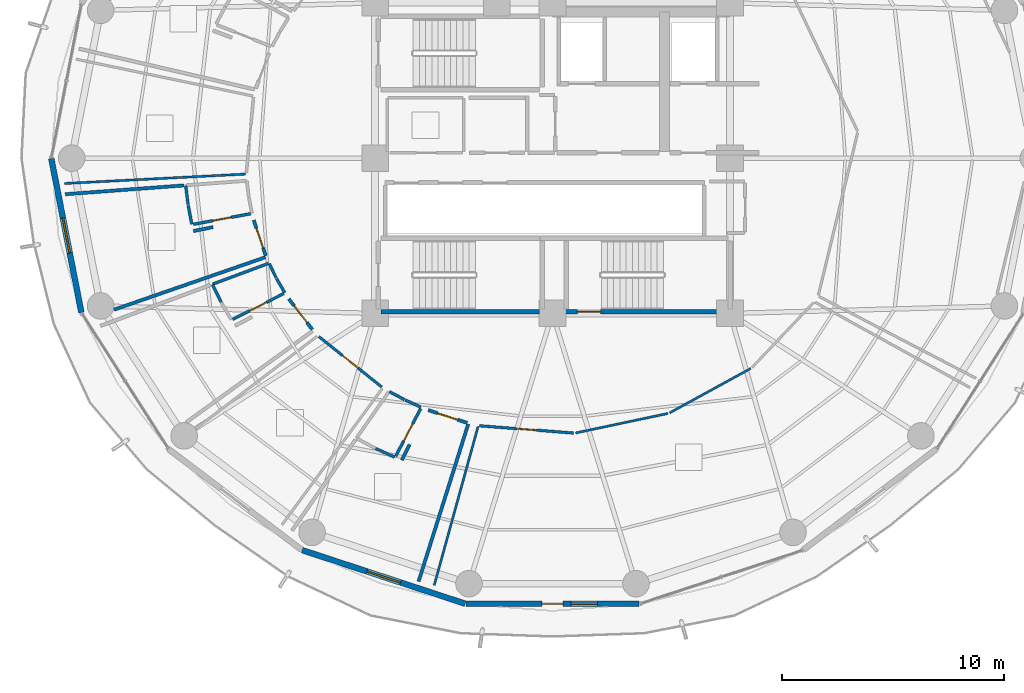
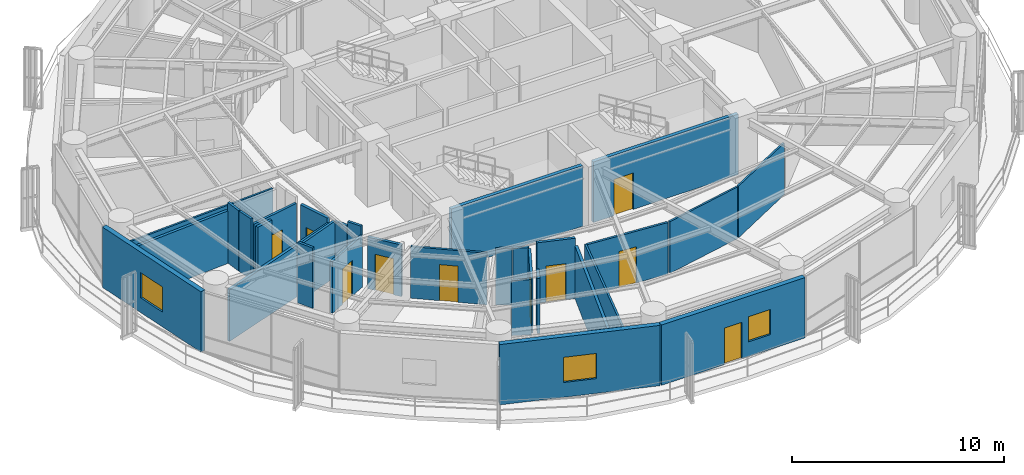
# One storey, part 21 of 29: 31 walls, 10 doors, 3 windows, 13 openings.
"""IFC4 building model written with IfcOpenShell, lengths in metres."""

import ifcopenshell
import ifcopenshell.guid

model = None  # the IFC model being written
_history = None  # IfcOwnerHistory: only IFC2X3 demands one
_inside = {}  # id of a spatial element -> (the spatial element, [elements in it])
_under = {}  # id of a project, library or spatial element -> (it, [spatial elements below it])
_declared = {}  # id of a project -> (the project, [libraries it declares])
_typed = {}  # id of a type object -> (the type object, [elements of that type])
_made_of = {}  # id of a material, layer set ... -> (it, [elements and type objects made of it])


def new_model(schema):
    """Start an empty IFC model of exactly this schema.

    Asked for "IFC4X3", IfcOpenShell would pick the latest addendum, in which some entities
    have other attributes; the version numbers below select the first issue.
    IFC2X3 requires an IfcOwnerHistory on every rooted entity: one is made here for all.
    """
    global model, _history
    if schema == "IFC4X3":
        model = ifcopenshell.file(schema_version=(4, 3, 0, 0))
    else:
        model = ifcopenshell.file(schema=schema)
    _inside.clear()
    _under.clear()
    _declared.clear()
    _typed.clear()
    _made_of.clear()
    _history = None
    if model.schema == "IFC2X3":
        org = make("IfcOrganization", Name="unknown")
        user = make(
            "IfcPersonAndOrganization",
            ThePerson=make("IfcPerson", FamilyName="unknown"),
            TheOrganization=org,
        )
        app = make(
            "IfcApplication",
            ApplicationDeveloper=org,
            Version="unknown",
            ApplicationFullName="unknown",
            ApplicationIdentifier="unknown",
        )
        _history = make(
            "IfcOwnerHistory",
            OwningUser=user,
            OwningApplication=app,
            ChangeAction="ADDED",
            CreationDate=0,
        )
    return model


def make(cls, **values):
    """One entity of the class cls with the attributes given. An attribute that is None is left unset."""
    return model.create_entity(
        cls, **{name: value for name, value in values.items() if value is not None}
    )


def rooted(cls, **values):
    """An entity with a GlobalId (a new one), such as an element, a storey or a relation."""
    return make(cls, GlobalId=ifcopenshell.guid.new(), OwnerHistory=_history, **values)


def si_unit(unit_type, name, prefix=None):
    """IfcSIUnit, for example si_unit("LENGTHUNIT", "METRE", prefix="MILLI")."""
    return make("IfcSIUnit", UnitType=unit_type, Prefix=prefix, Name=name)


def assignment(units):
    """IfcUnitAssignment: the units of a project."""
    return None if units is None else make("IfcUnitAssignment", Units=units)


def point(xyz):
    """IfcCartesianPoint."""
    return None if xyz is None else make("IfcCartesianPoint", Coordinates=xyz)


def direction(xyz):
    """IfcDirection."""
    return None if xyz is None else make("IfcDirection", DirectionRatios=xyz)


def frame(location, z_axis=None, x_axis=None):
    """IfcAxis2Placement3D, a coordinate frame: its origin and axes. An axis left out is left unset."""
    return make(
        "IfcAxis2Placement3D",
        Location=point(location),
        Axis=direction(z_axis),
        RefDirection=direction(x_axis),
    )


def frame_2d(location, x_axis=None):
    """IfcAxis2Placement2D, a coordinate frame in the plane: its origin and x axis."""
    return make(
        "IfcAxis2Placement2D", Location=point(location), RefDirection=direction(x_axis)
    )


def origin():
    """The frame at (0, 0, 0) with its axes left unset."""
    return frame((0.0, 0.0, 0.0))


def place(relative_to, where):
    """IfcLocalPlacement: puts the frame where relative to a parent placement (None: the world)."""
    return make(
        "IfcLocalPlacement", PlacementRelTo=relative_to, RelativePlacement=where
    )


def context(
    kind, dimensions, precision=None, world=None, true_north=None, identifier=None
):
    """IfcGeometricRepresentationContext, for example the 3D "Model" context."""
    return make(
        "IfcGeometricRepresentationContext",
        ContextIdentifier=identifier,
        ContextType=kind,
        CoordinateSpaceDimension=dimensions,
        Precision=precision,
        WorldCoordinateSystem=world,
        TrueNorth=true_north,
    )


def subcontext(parent, identifier, kind, view, scale=None):
    """IfcGeometricRepresentationSubContext, for example "Body" below "Model"."""
    return make(
        "IfcGeometricRepresentationSubContext",
        ContextIdentifier=identifier,
        ContextType=kind,
        ParentContext=parent,
        TargetScale=scale,
        TargetView=view,
    )


def project(units=None, contexts=None):
    """IfcProject with its units and contexts."""
    return rooted(
        "IfcProject",
        Name="project",
        RepresentationContexts=contexts,
        UnitsInContext=assignment(units),
    )


def spatial(cls, under=None, at=None, **own):
    """A site, building, storey or space (cls), placed at a placement, below another one or the project."""
    s = rooted(cls, ObjectPlacement=at, **own)
    if under is not None:
        _under.setdefault(under.id(), (under, []))[1].append(s)
    return s


def profile(cls, at=None, kind="AREA", **sizes):
    """A parametric profile (cls). Its sizes go by their IFC names, for example OverallWidth=200.0."""
    return make(cls, ProfileType=kind, Position=at, **sizes)


def rectangle(**sizes):
    """IfcRectangleProfileDef."""
    return profile("IfcRectangleProfileDef", **sizes)


def extrude(swept, where, along, depth):
    """IfcExtrudedAreaSolid: the profile swept, set in the frame where, extruded along a direction by depth."""
    return make(
        "IfcExtrudedAreaSolid",
        SweptArea=swept,
        Position=where,
        ExtrudedDirection=direction(along),
        Depth=depth,
    )


def shape(context_of_items, identifier, shape_type, items):
    """IfcShapeRepresentation: the items that make up one representation, for example the "Body"."""
    return make(
        "IfcShapeRepresentation",
        ContextOfItems=context_of_items,
        RepresentationIdentifier=identifier,
        RepresentationType=shape_type,
        Items=items,
    )


def material(Name=None, Category=None):
    """IfcMaterial."""
    return make("IfcMaterial", Name=Name, Category=Category)


def layer(
    of_material, thickness, ventilated=None, Name=None, Category=None, Priority=None
):
    """IfcMaterialLayer: one layer of a wall or slab, of a material (None: an air gap)."""
    return make(
        "IfcMaterialLayer",
        Material=of_material,
        LayerThickness=thickness,
        IsVentilated=ventilated,
        Name=Name,
        Category=Category,
        Priority=Priority,
    )


def layer_set(layers, Name=None):
    """IfcMaterialLayerSet."""
    return make("IfcMaterialLayerSet", MaterialLayers=layers, LayerSetName=Name)


def made_of(thing, what):
    """Note that an element or type object is made of a material, layer set ...; save() writes the relation."""
    if what is not None:
        _made_of.setdefault(what.id(), (what, []))[1].append(thing)
    return thing


def type_object(cls, material=None, **own):
    """A type object (cls), such as IfcWallType, which elements share."""
    return made_of(rooted(cls, **own), material)


def element(
    cls,
    number,
    at=None,
    inside=None,
    cuts=None,
    type_object=None,
    material=None,
    context=None,
    identifier="Body",
    shape_type=None,
    held_by="IfcProductDefinitionShape",
    body=None,
    shapes=None,
    **own,
):
    """One element of the class cls, such as IfcWall. Its Tag is "e" and its number.

    at: its placement. inside: the storey or other place that contains it. cuts: it is an
    opening in that element (IfcRelVoidsElement). A single representation is given by context,
    identifier, shape_type and body (its items); several are given by shapes. held_by: the class
    of the entity that holds the representations. save() writes the other relations.
    """
    e = rooted(cls, Tag="e%d" % number, ObjectPlacement=at, **own)
    if body is not None:
        shapes = [shape(context, identifier, shape_type, body)]
    if shapes is not None:
        e.Representation = make(held_by, Representations=shapes)
    if inside is not None:
        _inside.setdefault(inside.id(), (inside, []))[1].append(e)
    if cuts is not None:
        rooted(
            "IfcRelVoidsElement", RelatingBuildingElement=cuts, RelatedOpeningElement=e
        )
    if type_object is not None:
        _typed.setdefault(type_object.id(), (type_object, []))[1].append(e)
    return made_of(e, material)


def fill(opening, filler):
    """IfcRelFillsElement: the door or window that sits in an opening."""
    return rooted(
        "IfcRelFillsElement",
        RelatingOpeningElement=opening,
        RelatedBuildingElement=filler,
    )


def aggregate(whole, parts):
    """IfcRelAggregates: a whole, such as a stair, and the parts it consists of."""
    return rooted("IfcRelAggregates", RelatingObject=whole, RelatedObjects=parts)


def save(model, path):
    """Write the relations noted so far, then the file.

    IfcRelAggregates (storeys below a building ...), IfcRelContainedInSpatialStructure (elements
    in a storey), IfcRelDefinesByType, IfcRelAssociatesMaterial and IfcRelDeclares: one each for
    every whole, place, type object, material and project.
    """
    for whole, parts in _under.values():
        aggregate(whole, parts)
    for where, things in _inside.values():
        rooted(
            "IfcRelContainedInSpatialStructure",
            RelatedElements=things,
            RelatingStructure=where,
        )
    for kind, things in _typed.values():
        rooted("IfcRelDefinesByType", RelatedObjects=things, RelatingType=kind)
    for what, things in _made_of.values():
        rooted("IfcRelAssociatesMaterial", RelatedObjects=things, RelatingMaterial=what)
    for by, libraries in _declared.values():
        rooted("IfcRelDeclares", RelatingContext=by, RelatedDefinitions=libraries)
    model.write(path)


model = new_model("IFC4")

# Units and contexts
model_context = context("Model", 3, precision=1e-05, world=origin(), true_north=direction((0.0, 1.0)))
body_context = subcontext(model_context, "Body", "Model", "MODEL_VIEW")
ifc_project = project(units=[si_unit("LENGTHUNIT", "METRE"), si_unit("AREAUNIT", "SQUARE_METRE"), si_unit("VOLUMEUNIT", "CUBIC_METRE"), si_unit("PLANEANGLEUNIT", "RADIAN"), si_unit("MASSUNIT", "GRAM", prefix="KILO")], contexts=[model_context])

# Site, building, storey
site_placement = place(None, origin())
site = spatial("IfcSite", under=ifc_project, at=site_placement, CompositionType="ELEMENT")
building_placement = place(site_placement, origin())
building = spatial("IfcBuilding", under=site, at=building_placement, Name="Kelanora Arch Commons", CompositionType="ELEMENT")
storey_placement = place(building_placement, frame((0.0, 0.0, 135.60009765625)))
storey = spatial("IfcBuildingStorey", under=building, at=storey_placement, Name="L34", CompositionType="ELEMENT", Elevation=135.60009765625)

# Wall, opening, door
ifc_material_1 = material(Name="Autoclaved aerated concrete blockwork with fire plaster", Category="masonry")
ifc_layer_1 = layer(ifc_material_1, 0.14990234375)
ifc_layer_set_1 = layer_set([ifc_layer_1], Name="Autoclaved aerated concrete blockwork with fire plaster")
wall_type_1 = type_object("IfcWallType", Name="W-COMP-150", PredefinedType="PARTITIONING", material=ifc_layer_set_1)
wall_1_placement = place(storey_placement, frame((60.529296875, 55.2060546875, 0.0), z_axis=(0.0, 0.0, 1.0), x_axis=(0.319297944841, -0.947654379202, 0.0)))
wall_1 = element("IfcWall", 1, at=wall_1_placement, inside=storey, type_object=wall_type_1, Name="Cluster Bedroom L34-05 Entry Partition", PredefinedType="PARTITIONING", context=body_context, shape_type="SweptSolid", body=[
    extrude(rectangle(XDim=1.69287109375, YDim=0.14990234375, at=frame_2d((0.846435546875, 0.0))), origin(), (0.0, 0.0, 1.0), 3.23486328125),
])
opening_1_placement = place(wall_1_placement, frame((0.37109375, 0.0, 0.0)))
opening_1 = element("IfcOpeningElement", 2, at=opening_1_placement, cuts=wall_1, Name="Opening D-CLU1", PredefinedType="OPENING", context=body_context, shape_type="SweptSolid", body=[
    extrude(rectangle(XDim=0.949951171875, YDim=2.080078125, at=frame_2d((0.47509765625, 1.0400390625))), frame((0.0, 0.0849609375, 0.0), z_axis=(0.0, -1.0, 0.0), x_axis=(1.0, 0.0, 0.0)), (0.0, 0.0, 1.0), 0.169921875),
])
ifc_material_2 = material(Name="Solid-core acoustic timber cluster entry fire door", Category="wood")
door_type_1 = type_object("IfcDoorType", Name="D-CLU-95", OperationType="NOTDEFINED", PredefinedType="DOOR", material=ifc_material_2)
door_1_placement = place(opening_1_placement, origin())
door_1 = element("IfcDoor", 3, at=door_1_placement, inside=storey, type_object=door_type_1, Name="Cluster Bedroom L34-05 Door", OperationType="SINGLE_SWING_RIGHT", OverallHeight=2.080078125, OverallWidth=0.949951171875, PredefinedType="DOOR", context=body_context, shape_type="SweptSolid", body=[
    extrude(rectangle(XDim=0.949951171875, YDim=2.080078125, at=frame_2d((0.47509765625, 1.0400390625))), frame((0.0, 0.02490234375, 0.0), z_axis=(0.0, -1.0, 0.0), x_axis=(1.0, 0.0, 0.0)), (0.0, 0.0, 1.0), 0.050048828125),
])
fill(opening_1, door_1)

wall_2_placement = place(storey_placement, frame((62.110595703125, 51.658447265625, 0.0), z_axis=(0.0, 0.0, 1.0), x_axis=(0.608307977949, -0.793701079729, 0.0)))
wall_2 = element("IfcWall", 4, at=wall_2_placement, inside=storey, type_object=wall_type_1, Name="Cluster Bedroom L34-06 Entry Partition", PredefinedType="PARTITIONING", context=body_context, shape_type="SweptSolid", body=[
    extrude(rectangle(XDim=1.7421875, YDim=0.14990234375, at=frame_2d((0.87109375, 0.0))), origin(), (0.0, 0.0, 1.0), 2.974853515625),
])
opening_2_placement = place(wall_2_placement, frame((0.39599609375, 0.0, 0.0)))
opening_2 = element("IfcOpeningElement", 5, at=opening_2_placement, cuts=wall_2, Name="Opening D-CLU1", PredefinedType="OPENING", context=body_context, shape_type="SweptSolid", body=[
    extrude(rectangle(XDim=0.949951171875, YDim=2.080078125, at=frame_2d((0.47509765625, 1.0400390625))), frame((0.0, 0.0849609375, 0.0), z_axis=(0.0, -1.0, 0.0), x_axis=(1.0, 0.0, 0.0)), (0.0, 0.0, 1.0), 0.169921875),
])
door_2_placement = place(opening_2_placement, origin())
door_2 = element("IfcDoor", 6, at=door_2_placement, inside=storey, type_object=door_type_1, Name="Cluster Bedroom L34-06 Door", OperationType="SINGLE_SWING_RIGHT", OverallHeight=2.080078125, OverallWidth=0.949951171875, PredefinedType="DOOR", context=body_context, shape_type="SweptSolid", body=[
    extrude(rectangle(XDim=0.949951171875, YDim=2.080078125, at=frame_2d((0.47509765625, 1.0400390625))), frame((0.0, 0.02490234375, 0.0), z_axis=(0.0, -1.0, 0.0), x_axis=(1.0, 0.0, 0.0)), (0.0, 0.0, 1.0), 0.050048828125),
])
fill(opening_2, door_2)

wall_3_placement = place(storey_placement, frame((68.39306640625, 46.641357421875, 0.0), z_axis=(0.0, 0.0, 1.0), x_axis=(0.950343295829, -0.311203502668, 0.0)))
wall_3 = element("IfcWall", 7, at=wall_3_placement, inside=storey, type_object=wall_type_1, Name="Cluster Bedroom L34-08 Entry Partition", PredefinedType="PARTITIONING", context=body_context, shape_type="SweptSolid", body=[
    extrude(rectangle(XDim=1.85302734375, YDim=0.14990234375, at=frame_2d((0.926513671875, 0.0))), origin(), (0.0, 0.0, 1.0), 3.47998046875),
])
opening_3_placement = place(wall_3_placement, frame((0.450927734375, 0.0, 0.0)))
opening_3 = element("IfcOpeningElement", 8, at=opening_3_placement, cuts=wall_3, Name="Opening D-CLU1", PredefinedType="OPENING", context=body_context, shape_type="SweptSolid", body=[
    extrude(rectangle(XDim=0.949951171875, YDim=2.080078125, at=frame_2d((0.47509765625, 1.0400390625))), frame((0.0, 0.0849609375, 0.0), z_axis=(0.0, -1.0, 0.0), x_axis=(1.0, 0.0, 0.0)), (0.0, 0.0, 1.0), 0.169921875),
])
door_3_placement = place(opening_3_placement, origin())
door_3 = element("IfcDoor", 9, at=door_3_placement, inside=storey, type_object=door_type_1, Name="Cluster Bedroom L34-08 Door", OperationType="SINGLE_SWING_LEFT", OverallHeight=2.080078125, OverallWidth=0.949951171875, PredefinedType="DOOR", context=body_context, shape_type="SweptSolid", body=[
    extrude(rectangle(XDim=0.949951171875, YDim=2.080078125, at=frame_2d((0.47509765625, 1.0400390625))), frame((0.0, 0.02490234375, 0.0), z_axis=(0.0, -1.0, 0.0), x_axis=(1.0, 0.0, 0.0)), (0.0, 0.0, 1.0), 0.050048828125),
])
fill(opening_3, door_3)

# Walls
wall_4_placement = place(storey_placement, frame((61.05126953125, 53.531982421875, 0.0), z_axis=(0.0, 0.0, 1.0), x_axis=(-0.944870237137, -0.327445010608, 0.0)))
element("IfcWall", 10, at=wall_4_placement, inside=storey, type_object=wall_type_1, Name="Cluster Bedroom L34-05 Enclosure Partition 2", PredefinedType="PARTITIONING", context=body_context, shape_type="SweptSolid", body=[
    extrude(rectangle(XDim=7.22021484375, YDim=0.14990234375, at=frame_2d((3.610107421875, 0.0))), origin(), (0.0, 0.0, 1.0), 2.974853515625),
])
wall_5_placement = place(storey_placement, frame((52.033935546875, 56.3740234375, 0.0), z_axis=(0.0, 0.0, 1.0), x_axis=(0.997255565749, 0.074036049215, 0.0)))
element("IfcWall", 11, at=wall_5_placement, inside=storey, type_object=wall_type_1, Name="Cluster Bedroom L34-05 Enclosure Partition 5", PredefinedType="PARTITIONING", context=body_context, shape_type="SweptSolid", body=[
    extrude(rectangle(XDim=5.36181640625, YDim=0.14990234375, at=frame_2d((2.680908203125, 0.0))), origin(), (0.0, 0.0, 1.0), 3.02490234375),
])
wall_6_placement = place(storey_placement, frame((57.812255859375, 54.712890625, 0.0), z_axis=(0.0, 0.0, 1.0), x_axis=(0.979802976843, 0.199965313418, 0.0)))
element("IfcWall", 12, at=wall_6_placement, inside=storey, type_object=wall_type_1, Name="Cluster Bedroom L34-05 Enclosure Partition 7", PredefinedType="PARTITIONING", context=body_context, shape_type="SweptSolid", body=[
    extrude(rectangle(XDim=0.90234375, YDim=0.14990234375, at=frame_2d((0.451171875, 0.0))), origin(), (0.0, 0.0, 1.0), 3.1748046875),
])
wall_7_placement = place(storey_placement, frame((70.198974609375, 46.0078125, 0.0), z_axis=(0.0, 0.0, 1.0), x_axis=(-0.300834252316, -0.953676440222, 0.0)))
element("IfcWall", 13, at=wall_7_placement, inside=storey, type_object=wall_type_1, Name="Cluster Bedroom L34-08 Enclosure Partition 2", PredefinedType="PARTITIONING", context=body_context, shape_type="SweptSolid", body=[
    extrude(rectangle(XDim=7.432861328125, YDim=0.14990234375, at=frame_2d((3.71630859375, 0.0))), origin(), (0.0, 0.0, 1.0), 3.02490234375),
])
wall_8_placement = place(storey_placement, frame((67.204833984375, 44.3857421875, 0.0), z_axis=(0.0, 0.0, 1.0), x_axis=(0.445215718224, 0.89542334359, 0.0)))
element("IfcWall", 14, at=wall_8_placement, inside=storey, type_object=wall_type_1, Name="Cluster Bedroom L34-08 Enclosure Partition 7", PredefinedType="PARTITIONING", context=body_context, shape_type="SweptSolid", body=[
    extrude(rectangle(XDim=0.782470703125, YDim=0.14990234375, at=frame_2d((0.39111328125, 0.0))), origin(), (0.0, 0.0, 1.0), 3.1748046875),
])

# Wall, opening, window
ifc_material_3 = material(Name="Precast concrete C40/50 with terracotta rainscreen", Category="masonry")
ifc_layer_2 = layer(ifc_material_3, 0.260009765625)
ifc_layer_set_2 = layer_set([ifc_layer_2], Name="Precast concrete C40/50 with terracotta rainscreen")
wall_type_2 = type_object("IfcWallType", Name="W-EXT-TC", PredefinedType="SOLIDWALL", material=ifc_layer_set_2)
wall_9_placement = place(storey_placement, frame((51.40283203125, 57.9853515625, 0.0), z_axis=(0.0, 0.0, 1.0), x_axis=(0.191716984769, -0.981450252306, 0.0)))
wall_9 = element("IfcWall", 15, at=wall_9_placement, inside=storey, type_object=wall_type_2, Name="Terracotta Exterior Wall L34-B09", PredefinedType="SOLIDWALL", context=body_context, shape_type="SweptSolid", body=[
    extrude(rectangle(XDim=7.0791015625, YDim=0.260009765625, at=frame_2d((3.53955078125, 0.0))), origin(), (0.0, 0.0, 1.0), 3.474853515625),
])
opening_4_placement = place(wall_9_placement, frame((2.739990234375, 0.0, 0.85009765625)))
opening_4 = element("IfcOpeningElement", 16, at=opening_4_placement, cuts=wall_9, Name="Opening WN-01", PredefinedType="OPENING", context=body_context, shape_type="SweptSolid", body=[
    extrude(rectangle(XDim=1.60009765625, YDim=1.449951171875, at=frame_2d((0.800048828125, 0.72509765625))), frame((0.0, 0.14013671875, 0.0), z_axis=(0.0, -1.0, 0.0), x_axis=(1.0, 0.0, 0.0)), (0.0, 0.0, 1.0), 0.280029296875),
])
ifc_material_4 = material(Name="Terracotta-anodised aluminium frame with operable low-E glazing", Category="masonry")
window_type_1 = type_object("IfcWindowType", Name="WIN-CL-18", PartitioningType="DOUBLE_PANEL_VERTICAL", PredefinedType="WINDOW", material=ifc_material_4)
window_1_placement = place(opening_4_placement, origin())
window_1 = element("IfcWindow", 17, at=window_1_placement, inside=storey, type_object=window_type_1, Name="Co-Living Operable Window L34-B09", OverallHeight=1.449951171875, OverallWidth=1.60009765625, PartitioningType="SINGLE_PANEL", PredefinedType="WINDOW", context=body_context, shape_type="SweptSolid", body=[
    extrude(rectangle(XDim=1.60009765625, YDim=1.449951171875, at=frame_2d((0.800048828125, 0.72509765625))), frame((0.0, 0.030029296875, 0.0), z_axis=(0.0, -1.0, 0.0), x_axis=(1.0, 0.0, 0.0)), (0.0, 0.0, 1.0), 0.06005859375),
])
fill(opening_4, window_1)

wall_10_placement = place(storey_placement, frame((62.71435546875, 40.328369140625, 0.0), z_axis=(0.0, 0.0, 1.0), x_axis=(0.950038302428, -0.312133343173, 0.0)))
wall_10 = element("IfcWall", 18, at=wall_10_placement, inside=storey, type_object=wall_type_2, Name="Terracotta Exterior Wall L34-B12", PredefinedType="SOLIDWALL", context=body_context, shape_type="SweptSolid", body=[
    extrude(rectangle(XDim=7.7333984375, YDim=0.260009765625, at=frame_2d((3.86669921875, 0.0))), origin(), (0.0, 0.0, 1.0), 3.474853515625),
])
opening_5_placement = place(wall_10_placement, frame((3.06689453125, 0.0, 0.85009765625)))
opening_5 = element("IfcOpeningElement", 19, at=opening_5_placement, cuts=wall_10, Name="Opening WN-01", PredefinedType="OPENING", context=body_context, shape_type="SweptSolid", body=[
    extrude(rectangle(XDim=1.60009765625, YDim=1.449951171875, at=frame_2d((0.800048828125, 0.72509765625))), frame((0.0, 0.14013671875, 0.0), z_axis=(0.0, -1.0, 0.0), x_axis=(1.0, 0.0, 0.0)), (0.0, 0.0, 1.0), 0.280029296875),
])
window_2_placement = place(opening_5_placement, origin())
window_2 = element("IfcWindow", 20, at=window_2_placement, inside=storey, type_object=window_type_1, Name="Co-Living Operable Window L34-B12", OverallHeight=1.449951171875, OverallWidth=1.60009765625, PartitioningType="SINGLE_PANEL", PredefinedType="WINDOW", context=body_context, shape_type="SweptSolid", body=[
    extrude(rectangle(XDim=1.60009765625, YDim=1.449951171875, at=frame_2d((0.800048828125, 0.72509765625))), frame((0.0, 0.030029296875, 0.0), z_axis=(0.0, -1.0, 0.0), x_axis=(1.0, 0.0, 0.0)), (0.0, 0.0, 1.0), 0.06005859375),
])
fill(opening_5, window_2)

# Wall, openings, door, window
wall_11_placement = place(storey_placement, frame((70.090576171875, 37.909912109375, 0.0), z_axis=(0.0, 0.0, 1.0), x_axis=(1.0, 0.0, 0.0)))
wall_11 = element("IfcWall", 21, at=wall_11_placement, inside=storey, type_object=wall_type_2, Name="Terracotta Exterior Wall L34-B13", PredefinedType="SOLIDWALL", context=body_context, shape_type="SweptSolid", body=[
    extrude(rectangle(XDim=7.81884765625, YDim=0.260009765625, at=frame_2d((3.909423828125, 0.0))), origin(), (0.0, 0.0, 1.0), 3.474853515625),
])
opening_6_placement = place(wall_11_placement, frame((3.43408203125, 0.0, 0.0)))
opening_6 = element("IfcOpeningElement", 22, at=opening_6_placement, cuts=wall_11, Name="Opening DB-01", PredefinedType="OPENING", context=body_context, shape_type="SweptSolid", body=[
    extrude(rectangle(XDim=0.949951171875, YDim=2.10009765625, at=frame_2d((0.47509765625, 1.050048828125))), frame((0.0, 0.14013671875, 0.0), z_axis=(0.0, -1.0, 0.0), x_axis=(1.0, 0.0, 0.0)), (0.0, 0.0, 1.0), 0.280029296875),
])
opening_7_placement = place(wall_11_placement, frame((4.73388671875, 0.0, 0.85009765625)))
opening_7 = element("IfcOpeningElement", 23, at=opening_7_placement, cuts=wall_11, Name="Opening WN-02", PredefinedType="OPENING", context=body_context, shape_type="SweptSolid", body=[
    extrude(rectangle(XDim=1.199951171875, YDim=1.449951171875, at=frame_2d((0.60009765625, 0.72509765625))), frame((0.0, 0.14013671875, 0.0), z_axis=(0.0, -1.0, 0.0), x_axis=(1.0, 0.0, 0.0)), (0.0, 0.0, 1.0), 0.280029296875),
])
ifc_material_5 = material(Name="Terracotta-aluminium thermally broken glazed balcony door", Category="masonry")
door_type_2 = type_object("IfcDoorType", Name="D-BAL-10", OperationType="NOTDEFINED", PredefinedType="DOOR", material=ifc_material_5)
door_4_placement = place(opening_6_placement, frame((0.949951171875, 0.0, 0.0), z_axis=(0.0, 0.0, 1.0), x_axis=(-1.0, 0.0, 0.0)))
door_4 = element("IfcDoor", 24, at=door_4_placement, inside=storey, type_object=door_type_2, Name="Wave Balcony Door L34-B13", OperationType="SINGLE_SWING_RIGHT", OverallHeight=2.10009765625, OverallWidth=0.949951171875, PredefinedType="DOOR", context=body_context, shape_type="SweptSolid", body=[
    extrude(rectangle(XDim=0.949951171875, YDim=2.10009765625, at=frame_2d((0.47509765625, 1.050048828125))), frame((0.0, 0.02490234375, 0.0), z_axis=(0.0, -1.0, 0.0), x_axis=(1.0, 0.0, 0.0)), (0.0, 0.0, 1.0), 0.050048828125),
])
fill(opening_6, door_4)
ifc_material_6 = material(Name="Terracotta-anodised aluminium frame with operable awning sash", Category="masonry")
window_type_2 = type_object("IfcWindowType", Name="WIN-CL-12", PartitioningType="SINGLE_PANEL", PredefinedType="WINDOW", material=ifc_material_6)
window_3_placement = place(opening_7_placement, origin())
window_3 = element("IfcWindow", 25, at=window_3_placement, inside=storey, type_object=window_type_2, Name="Co-Living Operable Window L34-B13", OverallHeight=1.449951171875, OverallWidth=1.199951171875, PartitioningType="SINGLE_PANEL", PredefinedType="WINDOW", context=body_context, shape_type="SweptSolid", body=[
    extrude(rectangle(XDim=1.199951171875, YDim=1.449951171875, at=frame_2d((0.60009765625, 0.72509765625))), frame((0.0, 0.030029296875, 0.0), z_axis=(0.0, -1.0, 0.0), x_axis=(1.0, 0.0, 0.0)), (0.0, 0.0, 1.0), 0.06005859375),
])
fill(opening_7, window_3)

# Walls
ifc_material_7 = material(Name="Lightweight fire-rated acoustic stud partition")
ifc_layer_3 = layer(ifc_material_7, 0.10009765625)
ifc_layer_set_3 = layer_set([ifc_layer_3], Name="Lightweight fire-rated acoustic stud partition")
wall_type_3 = type_object("IfcWallType", Name="W-PART-100", PredefinedType="PARTITIONING", material=ifc_layer_set_3)
wall_12_placement = place(storey_placement, frame((75.0400390625, 45.611328125, 0.0), z_axis=(0.0, 0.0, 1.0), x_axis=(0.978421930287, 0.206616858785, 0.0)))
element("IfcWall", 26, at=wall_12_placement, inside=storey, type_object=wall_type_3, Name="South-East Social Sky Lounge L34 Enclosure Partition 2", PredefinedType="PARTITIONING", context=body_context, shape_type="SweptSolid", body=[
    extrude(rectangle(XDim=4.260986328125, YDim=0.10009765625, at=frame_2d((2.13037109375, 0.0))), origin(), (0.0, 0.0, 1.0), 2.974853515625),
])
wall_13_placement = place(storey_placement, frame((79.283203125, 46.519287109375, 0.0), z_axis=(0.0, 0.0, 1.0), x_axis=(0.876994001609, 0.480501322726, 0.0)))
element("IfcWall", 27, at=wall_13_placement, inside=storey, type_object=wall_type_3, Name="South-East Social Sky Lounge L34 Enclosure Partition 3", PredefinedType="PARTITIONING", context=body_context, shape_type="SweptSolid", body=[
    extrude(rectangle(XDim=4.16748046875, YDim=0.10009765625, at=frame_2d((2.083740234375, 0.0))), origin(), (0.0, 0.0, 1.0), 2.974853515625),
])
wall_14_placement = place(storey_placement, frame((68.668701171875, 38.74951171875, 0.0), z_axis=(0.0, 0.0, 1.0), x_axis=(0.26617364863, 0.963925095002, 0.0)))
element("IfcWall", 28, at=wall_14_placement, inside=storey, type_object=wall_type_3, Name="South-East Social Sky Lounge L34 Enclosure Partition 10", PredefinedType="PARTITIONING", context=body_context, shape_type="SweptSolid", body=[
    extrude(rectangle(XDim=7.41845703125, YDim=0.10009765625, at=frame_2d((3.709228515625, 0.0))), origin(), (0.0, 0.0, 1.0), 3.02490234375),
])
wall_15_placement = place(storey_placement, frame((60.153076171875, 57.281982421875, 0.0), z_axis=(0.0, 0.0, 1.0), x_axis=(-0.998652620107, -0.051893586821, 0.0)))
element("IfcWall", 29, at=wall_15_placement, inside=storey, type_object=wall_type_3, Name="Shared Cluster Kitchen L34-04 Enclosure Partition 2", PredefinedType="PARTITIONING", context=body_context, shape_type="SweptSolid", body=[
    extrude(rectangle(XDim=8.167236328125, YDim=0.10009765625, at=frame_2d((4.08349609375, 0.0))), origin(), (0.0, 0.0, 1.0), 3.02490234375),
])

# Wall, opening, door
ifc_material_8 = material(Name="Acoustic twin-stud fire-rated gypsum partition")
ifc_layer_4 = layer(ifc_material_8, 0.1201171875)
ifc_layer_set_4 = layer_set([ifc_layer_4], Name="Acoustic twin-stud fire-rated gypsum partition")
wall_type_4 = type_object("IfcWallType", Name="W-PART-120", PredefinedType="PARTITIONING", material=ifc_layer_set_4)
wall_16_placement = place(storey_placement, frame((70.7138671875, 45.934326171875, 0.0), z_axis=(0.0, 0.0, 1.0), x_axis=(0.99702766625, -0.077044355613, 0.0)))
wall_16 = element("IfcWall", 30, at=wall_16_placement, inside=storey, type_object=wall_type_4, Name="South-East Social Sky Lounge L34 Entry Partition", PredefinedType="PARTITIONING", context=body_context, shape_type="SweptSolid", body=[
    extrude(rectangle(XDim=4.239990234375, YDim=0.1201171875, at=frame_2d((2.1201171875, 0.0))), origin(), (0.0, 0.0, 1.0), 2.974853515625),
])
opening_8_placement = place(wall_16_placement, frame((1.669921875, 0.0, 0.0)))
opening_8 = element("IfcOpeningElement", 31, at=opening_8_placement, cuts=wall_16, Name="Opening D-RM1", PredefinedType="OPENING", context=body_context, shape_type="SweptSolid", body=[
    extrude(rectangle(XDim=0.89990234375, YDim=2.080078125, at=frame_2d((0.449951171875, 1.0400390625))), frame((0.0, 0.070068359375, 0.0), z_axis=(0.0, -1.0, 0.0), x_axis=(1.0, 0.0, 0.0)), (0.0, 0.0, 1.0), 0.14013671875),
])
ifc_material_9 = material(Name="Acoustic fire-rated timber study and lounge door", Category="wood")
door_type_3 = type_object("IfcDoorType", Name="D-ROOM-90", OperationType="NOTDEFINED", PredefinedType="DOOR", material=ifc_material_9)
door_5_placement = place(opening_8_placement, origin())
door_5 = element("IfcDoor", 32, at=door_5_placement, inside=storey, type_object=door_type_3, Name="South-East Social Sky Lounge L34 Door", OperationType="SINGLE_SWING_RIGHT", OverallHeight=2.080078125, OverallWidth=0.89990234375, PredefinedType="DOOR", context=body_context, shape_type="SweptSolid", body=[
    extrude(rectangle(XDim=0.89990234375, YDim=2.080078125, at=frame_2d((0.449951171875, 1.0400390625))), frame((0.0, 0.02490234375, 0.0), z_axis=(0.0, -1.0, 0.0), x_axis=(1.0, 0.0, 0.0)), (0.0, 0.0, 1.0), 0.050048828125),
])
fill(opening_8, door_5)

wall_17_placement = place(storey_placement, frame((63.4677734375, 49.95654296875, 0.0), z_axis=(0.0, 0.0, 1.0), x_axis=(0.78006790059, -0.625694870099, 0.0)))
wall_17 = element("IfcWall", 33, at=wall_17_placement, inside=storey, type_object=wall_type_4, Name="Social Sky Lounge L34-07 Entry Partition", PredefinedType="PARTITIONING", context=body_context, shape_type="SweptSolid", body=[
    extrude(rectangle(XDim=3.631103515625, YDim=0.1201171875, at=frame_2d((1.8154296875, 0.0))), origin(), (0.0, 0.0, 1.0), 2.974853515625),
])
opening_9_placement = place(wall_17_placement, frame((1.365966796875, 0.0, 0.0)))
opening_9 = element("IfcOpeningElement", 34, at=opening_9_placement, cuts=wall_17, Name="Opening D-RM1", PredefinedType="OPENING", context=body_context, shape_type="SweptSolid", body=[
    extrude(rectangle(XDim=0.89990234375, YDim=2.080078125, at=frame_2d((0.449951171875, 1.0400390625))), frame((0.0, 0.070068359375, 0.0), z_axis=(0.0, -1.0, 0.0), x_axis=(1.0, 0.0, 0.0)), (0.0, 0.0, 1.0), 0.14013671875),
])
door_6_placement = place(opening_9_placement, origin())
door_6 = element("IfcDoor", 35, at=door_6_placement, inside=storey, type_object=door_type_3, Name="Social Sky Lounge L34-07 Door", OperationType="SINGLE_SWING_LEFT", OverallHeight=2.080078125, OverallWidth=0.89990234375, PredefinedType="DOOR", context=body_context, shape_type="SweptSolid", body=[
    extrude(rectangle(XDim=0.89990234375, YDim=2.080078125, at=frame_2d((0.449951171875, 1.0400390625))), frame((0.0, 0.02490234375, 0.0), z_axis=(0.0, -1.0, 0.0), x_axis=(1.0, 0.0, 0.0)), (0.0, 0.0, 1.0), 0.050048828125),
])
fill(opening_9, door_6)

ifc_material_10 = material(Name="Concrete C40/50", Category="concrete")
ifc_layer_5 = layer(ifc_material_10, 0.199951171875)
ifc_layer_set_5 = layer_set([ifc_layer_5], Name="Concrete C40/50")
wall_type_5 = type_object("IfcWallType", Name="W-STAIR-200", PredefinedType="SHEAR", material=ifc_layer_set_5)
wall_18_placement = place(storey_placement, frame((74.0, 51.080078125, 0.0), z_axis=(0.0, 0.0, 1.0), x_axis=(1.0, 0.0, 0.0)))
wall_18 = element("IfcWall", 36, at=wall_18_placement, inside=storey, type_object=wall_type_5, Name="Stair ST-T2 Shaft Wall S L34", PredefinedType="SHEAR", context=body_context, shape_type="SweptSolid", body=[
    extrude(rectangle(XDim=7.89990234375, YDim=0.199951171875, at=frame_2d((3.949951171875, 0.0))), origin(), (0.0, 0.0, 1.0), 3.489990234375),
])
opening_10_placement = place(wall_18_placement, frame((1.1201171875, 0.0, 0.0)))
opening_10 = element("IfcOpeningElement", 37, at=opening_10_placement, cuts=wall_18, Name="Opening D-ST1", PredefinedType="OPENING", context=body_context, shape_type="SweptSolid", body=[
    extrude(rectangle(XDim=1.050048828125, YDim=2.10009765625, at=frame_2d((0.52490234375, 1.050048828125))), frame((0.0, 0.10986328125, 0.0), z_axis=(0.0, -1.0, 0.0), x_axis=(1.0, 0.0, 0.0)), (0.0, 0.0, 1.0), 0.219970703125),
])
ifc_material_11 = material(Name="Steel fire-rated stairwell escape door", Category="steel")
door_type_4 = type_object("IfcDoorType", Name="D-STAIR-110", OperationType="NOTDEFINED", PredefinedType="DOOR", material=ifc_material_11)
door_7_placement = place(opening_10_placement, origin())
door_7 = element("IfcDoor", 38, at=door_7_placement, inside=storey, type_object=door_type_4, Name="Stair ST-T2 Escape Door L34", OperationType="SINGLE_SWING_LEFT", OverallHeight=2.10009765625, OverallWidth=1.050048828125, PredefinedType="DOOR", context=body_context, shape_type="SweptSolid", body=[
    extrude(rectangle(XDim=1.050048828125, YDim=2.10009765625, at=frame_2d((0.52490234375, 1.050048828125))), frame((0.0, 0.02490234375, 0.0), z_axis=(0.0, -1.0, 0.0), x_axis=(1.0, 0.0, 0.0)), (0.0, 0.0, 1.0), 0.050048828125),
])
fill(opening_10, door_7)

# Wall
wall_19_placement = place(storey_placement, frame((66.260009765625, 51.080078125, 0.0), z_axis=(0.0, 0.0, 1.0), x_axis=(1.0, 0.0, 0.0)))
element("IfcWall", 39, at=wall_19_placement, inside=storey, type_object=wall_type_5, Name="Stair ST-T3 Shaft Wall S L34", PredefinedType="SHEAR", context=body_context, shape_type="SweptSolid", body=[
    extrude(rectangle(XDim=7.159912109375, YDim=0.199951171875, at=frame_2d((3.580078125, 0.0))), origin(), (0.0, 0.0, 1.0), 3.489990234375),
])

# Wall, opening, door
ifc_material_12 = material(Name="Moisture-resistant fire-rated cement-board plumbing wall")
ifc_layer_6 = layer(ifc_material_12, 0.1298828125)
ifc_layer_set_6 = layer_set([ifc_layer_6], Name="Moisture-resistant fire-rated cement-board plumbing wall")
wall_type_6 = type_object("IfcWallType", Name="W-WET-120", PredefinedType="PLUMBINGWALL", material=ifc_layer_set_6)
wall_20_placement = place(storey_placement, frame((60.39208984375, 55.49609375, 0.0), z_axis=(0.0, 0.0, 1.0), x_axis=(-0.983321304086, -0.181876916981, 0.0)))
wall_20 = element("IfcWall", 40, at=wall_20_placement, inside=storey, type_object=wall_type_6, Name="En-Suite Shower WC L34-05 Entry Partition", PredefinedType="PLUMBINGWALL", context=body_context, shape_type="SweptSolid", body=[
    extrude(rectangle(XDim=2.635009765625, YDim=0.1298828125, at=frame_2d((1.3173828125, 0.0))), origin(), (0.0, 0.0, 1.0), 3.1748046875),
])
opening_11_placement = place(wall_20_placement, frame((0.886962890625, 0.0, 0.0)))
opening_11 = element("IfcOpeningElement", 41, at=opening_11_placement, cuts=wall_20, Name="Opening D-BT1", PredefinedType="OPENING", context=body_context, shape_type="SweptSolid", body=[
    extrude(rectangle(XDim=0.860107421875, YDim=2.050048828125, at=frame_2d((0.43017578125, 1.02490234375))), frame((0.0, 0.074951171875, 0.0), z_axis=(0.0, -1.0, 0.0), x_axis=(1.0, 0.0, 0.0)), (0.0, 0.0, 1.0), 0.14990234375),
])
ifc_material_13 = material(Name="Moisture-sealed fire-rated accessible bathroom door")
door_type_5 = type_object("IfcDoorType", Name="D-BATH-85", OperationType="NOTDEFINED", PredefinedType="DOOR", material=ifc_material_13)
door_8_placement = place(opening_11_placement, origin())
door_8 = element("IfcDoor", 42, at=door_8_placement, inside=storey, type_object=door_type_5, Name="En-Suite Shower WC L34-05 Door", OperationType="SINGLE_SWING_LEFT", OverallHeight=2.050048828125, OverallWidth=0.860107421875, PredefinedType="DOOR", context=body_context, shape_type="SweptSolid", body=[
    extrude(rectangle(XDim=0.860107421875, YDim=2.050048828125, at=frame_2d((0.43017578125, 1.02490234375))), frame((0.0, 0.02490234375, 0.0), z_axis=(0.0, -1.0, 0.0), x_axis=(1.0, 0.0, 0.0)), (0.0, 0.0, 1.0), 0.050048828125),
])
fill(opening_11, door_8)

wall_21_placement = place(storey_placement, frame((61.882568359375, 51.89501953125, 0.0), z_axis=(0.0, 0.0, 1.0), x_axis=(-0.892490597906, -0.451065995891, 0.0)))
wall_21 = element("IfcWall", 43, at=wall_21_placement, inside=storey, type_object=wall_type_6, Name="En-Suite Shower WC L34-06 Entry Partition", PredefinedType="PLUMBINGWALL", context=body_context, shape_type="SweptSolid", body=[
    extrude(rectangle(XDim=2.582763671875, YDim=0.1298828125, at=frame_2d((1.29150390625, 0.0))), origin(), (0.0, 0.0, 1.0), 2.974853515625),
])
opening_12_placement = place(wall_21_placement, frame((0.861083984375, 0.0, 0.0)))
opening_12 = element("IfcOpeningElement", 44, at=opening_12_placement, cuts=wall_21, Name="Opening D-BT1", PredefinedType="OPENING", context=body_context, shape_type="SweptSolid", body=[
    extrude(rectangle(XDim=0.860107421875, YDim=2.050048828125, at=frame_2d((0.43017578125, 1.02490234375))), frame((0.0, 0.074951171875, 0.0), z_axis=(0.0, -1.0, 0.0), x_axis=(1.0, 0.0, 0.0)), (0.0, 0.0, 1.0), 0.14990234375),
])
door_9_placement = place(opening_12_placement, origin())
door_9 = element("IfcDoor", 45, at=door_9_placement, inside=storey, type_object=door_type_5, Name="En-Suite Shower WC L34-06 Door", OperationType="SINGLE_SWING_LEFT", OverallHeight=2.050048828125, OverallWidth=0.860107421875, PredefinedType="DOOR", context=body_context, shape_type="SweptSolid", body=[
    extrude(rectangle(XDim=0.860107421875, YDim=2.050048828125, at=frame_2d((0.43017578125, 1.02490234375))), frame((0.0, 0.02490234375, 0.0), z_axis=(0.0, -1.0, 0.0), x_axis=(1.0, 0.0, 0.0)), (0.0, 0.0, 1.0), 0.050048828125),
])
fill(opening_12, door_9)

wall_22_placement = place(storey_placement, frame((68.05615234375, 46.7119140625, 0.0), z_axis=(0.0, 0.0, 1.0), x_axis=(-0.464721454244, -0.885456927222, 0.0)))
wall_22 = element("IfcWall", 46, at=wall_22_placement, inside=storey, type_object=wall_type_6, Name="En-Suite Shower WC L34-08 Entry Partition", PredefinedType="PLUMBINGWALL", context=body_context, shape_type="SweptSolid", body=[
    extrude(rectangle(XDim=2.425537109375, YDim=0.1298828125, at=frame_2d((1.212890625, 0.0))), origin(), (0.0, 0.0, 1.0), 3.1748046875),
])
opening_13_placement = place(wall_22_placement, frame((0.782958984375, 0.0, 0.0)))
opening_13 = element("IfcOpeningElement", 47, at=opening_13_placement, cuts=wall_22, Name="Opening D-BT1", PredefinedType="OPENING", context=body_context, shape_type="SweptSolid", body=[
    extrude(rectangle(XDim=0.860107421875, YDim=2.050048828125, at=frame_2d((0.43017578125, 1.02490234375))), frame((0.0, 0.074951171875, 0.0), z_axis=(0.0, -1.0, 0.0), x_axis=(1.0, 0.0, 0.0)), (0.0, 0.0, 1.0), 0.14990234375),
])
door_10_placement = place(opening_13_placement, origin())
door_10 = element("IfcDoor", 48, at=door_10_placement, inside=storey, type_object=door_type_5, Name="En-Suite Shower WC L34-08 Door", OperationType="SINGLE_SWING_RIGHT", OverallHeight=2.050048828125, OverallWidth=0.860107421875, PredefinedType="DOOR", context=body_context, shape_type="SweptSolid", body=[
    extrude(rectangle(XDim=0.860107421875, YDim=2.050048828125, at=frame_2d((0.43017578125, 1.02490234375))), frame((0.0, 0.02490234375, 0.0), z_axis=(0.0, -1.0, 0.0), x_axis=(1.0, 0.0, 0.0)), (0.0, 0.0, 1.0), 0.050048828125),
])
fill(opening_13, door_10)

# Walls
wall_23_placement = place(storey_placement, frame((57.73828125, 55.025634765625, 0.0), z_axis=(0.0, 0.0, 1.0), x_axis=(-0.189438154161, 0.981892654901, 0.0)))
element("IfcWall", 49, at=wall_23_placement, inside=storey, type_object=wall_type_6, Name="En-Suite Shower WC L34-05 Enclosure Partition 4", PredefinedType="PLUMBINGWALL", context=body_context, shape_type="SweptSolid", body=[
    extrude(rectangle(XDim=0.8583984375, YDim=0.1298828125, at=frame_2d((0.42919921875, 0.0))), origin(), (0.0, 0.0, 1.0), 3.47998046875),
])
wall_24_placement = place(storey_placement, frame((57.569580078125, 55.90771484375, 0.0), z_axis=(0.0, 0.0, 1.0), x_axis=(-0.124069838268, 0.992273488123, 0.0)))
element("IfcWall", 50, at=wall_24_placement, inside=storey, type_object=wall_type_6, Name="En-Suite Shower WC L34-05 Enclosure Partition 5", PredefinedType="PLUMBINGWALL", context=body_context, shape_type="SweptSolid", body=[
    extrude(rectangle(XDim=0.85595703125, YDim=0.1298828125, at=frame_2d((0.427978515625, 0.0))), origin(), (0.0, 0.0, 1.0), 3.47998046875),
])
wall_25_placement = place(storey_placement, frame((61.222900390625, 53.2451171875, 0.0), z_axis=(0.0, 0.0, 1.0), x_axis=(0.445176568549, -0.895442808232, 0.0)))
element("IfcWall", 51, at=wall_25_placement, inside=storey, type_object=wall_type_6, Name="En-Suite Shower WC L34-06 Enclosure Partition 1", PredefinedType="PLUMBINGWALL", context=body_context, shape_type="SweptSolid", body=[
    extrude(rectangle(XDim=0.719482421875, YDim=0.1298828125, at=frame_2d((0.35986328125, 0.0))), origin(), (0.0, 0.0, 1.0), 3.23486328125),
])
wall_26_placement = place(storey_placement, frame((61.56201171875, 52.565673828125, 0.0), z_axis=(0.0, 0.0, 1.0), x_axis=(0.502403748171, -0.864633144069, 0.0)))
element("IfcWall", 52, at=wall_26_placement, inside=storey, type_object=wall_type_6, Name="En-Suite Shower WC L34-06 Enclosure Partition 2", PredefinedType="PLUMBINGWALL", context=body_context, shape_type="SweptSolid", body=[
    extrude(rectangle(XDim=0.724609375, YDim=0.1298828125, at=frame_2d((0.3623046875, 0.0))), origin(), (0.0, 0.0, 1.0), 3.47998046875),
])
wall_27_placement = place(storey_placement, frame((59.05517578125, 51.514892578125, 0.0), z_axis=(0.0, 0.0, 1.0), x_axis=(-0.446317376376, 0.894874739584, 0.0)))
element("IfcWall", 53, at=wall_27_placement, inside=storey, type_object=wall_type_6, Name="En-Suite Shower WC L34-06 Enclosure Partition 5", PredefinedType="PLUMBINGWALL", context=body_context, shape_type="SweptSolid", body=[
    extrude(rectangle(XDim=0.871826171875, YDim=0.1298828125, at=frame_2d((0.43603515625, 0.0))), origin(), (0.0, 0.0, 1.0), 3.47998046875),
])
wall_28_placement = place(storey_placement, frame((58.67578125, 52.320068359375, 0.0), z_axis=(0.0, 0.0, 1.0), x_axis=(0.937399857035, 0.348254946887, 0.0)))
element("IfcWall", 54, at=wall_28_placement, inside=storey, type_object=wall_type_6, Name="En-Suite Shower WC L34-06 Enclosure Partition 6", PredefinedType="PLUMBINGWALL", context=body_context, shape_type="SweptSolid", body=[
    extrude(rectangle(XDim=2.687744140625, YDim=0.1298828125, at=frame_2d((1.34375, 0.0))), origin(), (0.0, 0.0, 1.0), 3.23486328125),
])
wall_29_placement = place(storey_placement, frame((66.647705078125, 47.47265625, 0.0), z_axis=(0.0, 0.0, 1.0), x_axis=(0.884034960309, -0.467420783611, 0.0)))
element("IfcWall", 55, at=wall_29_placement, inside=storey, type_object=wall_type_6, Name="En-Suite Shower WC L34-08 Enclosure Partition 1", PredefinedType="PLUMBINGWALL", context=body_context, shape_type="SweptSolid", body=[
    extrude(rectangle(XDim=0.768798828125, YDim=0.1298828125, at=frame_2d((0.38427734375, 0.0))), origin(), (0.0, 0.0, 1.0), 3.23486328125),
])
wall_30_placement = place(storey_placement, frame((67.36328125, 47.095703125, 0.0), z_axis=(0.0, 0.0, 1.0), x_axis=(0.908835433781, -0.417154832531, 0.0)))
element("IfcWall", 56, at=wall_30_placement, inside=storey, type_object=wall_type_6, Name="En-Suite Shower WC L34-08 Enclosure Partition 2", PredefinedType="PLUMBINGWALL", context=body_context, shape_type="SweptSolid", body=[
    extrude(rectangle(XDim=0.773193359375, YDim=0.1298828125, at=frame_2d((0.38671875, 0.0))), origin(), (0.0, 0.0, 1.0), 3.23486328125),
])
wall_31_placement = place(storey_placement, frame((66.8828125, 44.519287109375, 0.0), z_axis=(0.0, 0.0, 1.0), x_axis=(-0.90885062215, 0.417121740763, 0.0)))
element("IfcWall", 57, at=wall_31_placement, inside=storey, type_object=wall_type_6, Name="En-Suite Shower WC L34-08 Enclosure Partition 4", PredefinedType="PLUMBINGWALL", context=body_context, shape_type="SweptSolid", body=[
    extrude(rectangle(XDim=0.935791015625, YDim=0.1298828125, at=frame_2d((0.4677734375, 0.0))), origin(), (0.0, 0.0, 1.0), 3.1748046875),
])

save(model, "model.ifc")
